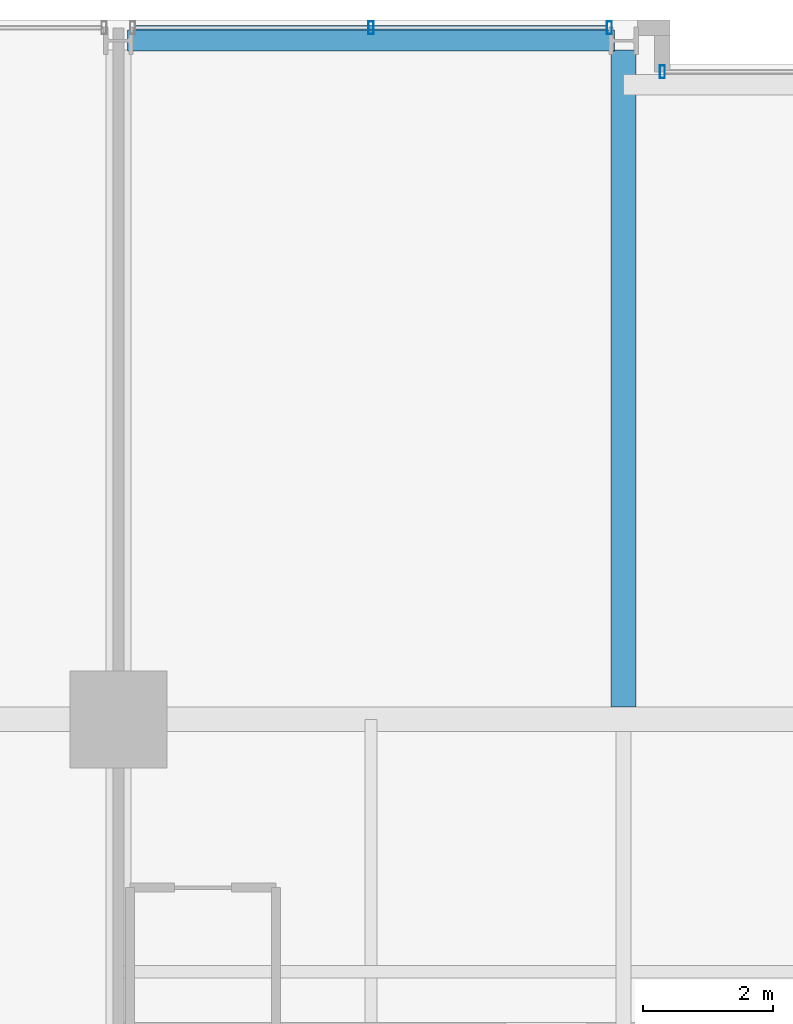
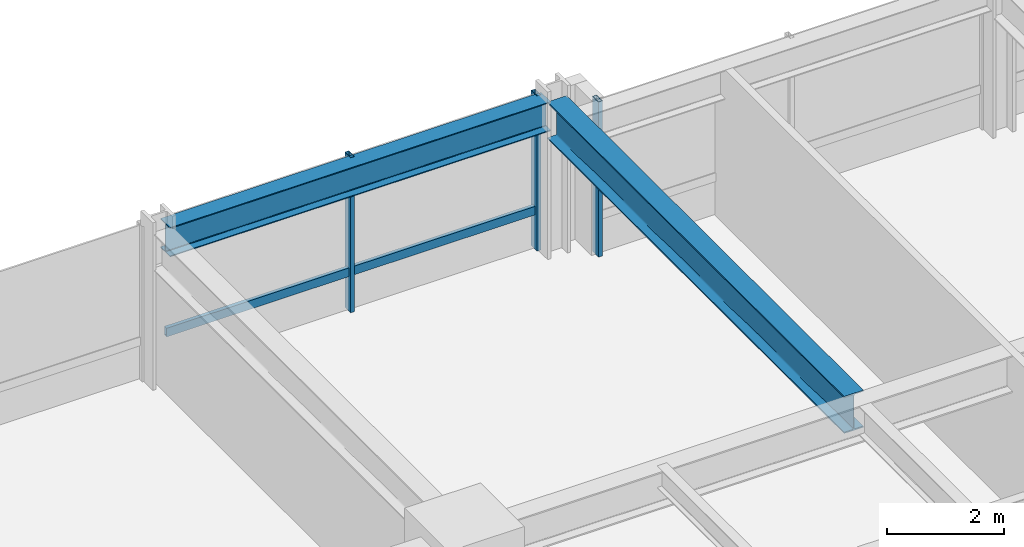
# One storey, part 21 of 34: 4 members, 2 beams, 2 elements without a shape of their own.
"""IFC4 building model written with IfcOpenShell, lengths in metres."""

from ifc_helpers import new_model, si_unit, direction, frame, origin, origin_2d, place, context, subcontext, project, spatial, hollow_rectangle, i_section, extrude, material, layer, layer_set, material_profile, profile_set, type_object, element, aggregate, save


model = new_model("IFC4")

# Units and contexts
model_context = context("Model", 3, precision=1e-05, world=origin(), true_north=direction((0.0, 1.0)))
body_context = subcontext(model_context, "Body", "Model", "MODEL_VIEW")
ifc_project = project(units=[si_unit("LENGTHUNIT", "METRE"), si_unit("AREAUNIT", "SQUARE_METRE"), si_unit("VOLUMEUNIT", "CUBIC_METRE"), si_unit("PLANEANGLEUNIT", "RADIAN"), si_unit("MASSUNIT", "GRAM", prefix="KILO")], contexts=[model_context])

# Site, building, storey
site_placement = place(None, origin())
site = spatial("IfcSite", under=ifc_project, at=site_placement, CompositionType="ELEMENT")
building_placement = place(site_placement, origin())
building = spatial("IfcBuilding", under=site, at=building_placement, Name="Drelvath Grand Hotel", CompositionType="ELEMENT")
storey_placement = place(building_placement, frame((0.0, 0.0, 112.800048828125)))
storey = spatial("IfcBuildingStorey", under=building, at=storey_placement, Name="L28", CompositionType="ELEMENT", Elevation=112.800048828125)

# Curtain wall, members
ifc_material_1 = material(Name="Champagne Bronze Anodised Aluminium Frame", Category="aluminium")
ifc_layer = layer(ifc_material_1, 0.199951171875)
ifc_layer_set = layer_set([ifc_layer], Name="Champagne Bronze Anodised Aluminium Frame")
curtain_wall_type = type_object("IfcCurtainWallType", Name="Stick Curtain Wall CW-03 Champagne Bronze Mid-Rise", PredefinedType="NOTDEFINED", material=ifc_layer_set)
curtain_wall_1_placement = place(storey_placement, origin())
curtain_wall_1 = element("IfcCurtainWall", 1, at=curtain_wall_1_placement, inside=storey, type_object=curtain_wall_type, Name="L28 CW-03 Curtain Wall CW03-L28-NW2", PredefinedType="NOTDEFINED")
ifc_material_profile_1 = material_profile(ifc_material_1, hollow_rectangle(XDim=0.074951171875, YDim=0.179931640625, WallThickness=0.0048828125, at=origin_2d()), Name="HSS180X75X5")
ifc_profile_set_1 = profile_set([ifc_material_profile_1], Name="Champagne Bronze Anodised Aluminium Frame")
member_type_1 = type_object("IfcMemberType", Name="Curtain Wall Horizontal Transom CW-03 HSS180X75X5", PredefinedType="USERDEFINED", material=ifc_profile_set_1)
member_1_placement = place(storey_placement, frame((-15.9404296875, 53.8798828125, 0.81005859375), z_axis=(1.0, 0.0, 0.0), x_axis=(0.0, 1.0, 0.0)))
member_1 = element("IfcMember", 2, at=member_1_placement, type_object=member_type_1, Name="CW03-L28-NW2 Sill Transom", ObjectType="TRANSOM", PredefinedType="USERDEFINED", context=body_context, shape_type="SweptSolid", body=[
    extrude(hollow_rectangle(XDim=0.074951171875, YDim=0.179931640625, WallThickness=0.0048828125, at=origin_2d()), origin(), (0.0, 0.0, 1.0), 7.28076171875),
])
ifc_material_profile_2 = material_profile(ifc_material_1, hollow_rectangle(XDim=0.080078125, YDim=0.199951171875, WallThickness=0.0048828125, at=origin_2d()), Name="HSS200X80X5")
ifc_profile_set_2 = profile_set([ifc_material_profile_2], Name="Champagne Bronze Anodised Aluminium Frame")
member_type_2 = type_object("IfcMemberType", Name="Curtain Wall Vertical Mullion CW-03 HSS200X80X5", PredefinedType="MULLION", material=ifc_profile_set_2)
member_2_placement = place(storey_placement, frame((-12.300048828125, 53.8798828125, 0.0), z_axis=(0.0, 0.0, 1.0), x_axis=(1.0, 0.0, 0.0)))
member_2 = element("IfcMember", 3, at=member_2_placement, type_object=member_type_2, Name="CW03-L28-NW2 Mullion 2", PredefinedType="MULLION", context=body_context, shape_type="SweptSolid", body=[
    extrude(hollow_rectangle(XDim=0.080078125, YDim=0.199951171875, WallThickness=0.0048828125, at=origin_2d()), origin(), (0.0, 0.0, 1.0), 3.239990234375),
])
member_3_placement = place(storey_placement, frame((-8.61962890625, 53.8798828125, 0.0), z_axis=(0.0, 0.0, 1.0), x_axis=(1.0, 0.0, 0.0)))
member_3 = element("IfcMember", 4, at=member_3_placement, type_object=member_type_2, Name="CW03-L28-NW2 Mullion 3", PredefinedType="MULLION", context=body_context, shape_type="SweptSolid", body=[
    extrude(hollow_rectangle(XDim=0.080078125, YDim=0.199951171875, WallThickness=0.0048828125, at=origin_2d()), origin(), (0.0, 0.0, 1.0), 3.239990234375),
])
aggregate(curtain_wall_1, [member_2, member_3, member_1])

# Curtain wall, member
curtain_wall_2_placement = place(storey_placement, origin())
curtain_wall_2 = element("IfcCurtainWall", 5, at=curtain_wall_2_placement, inside=storey, type_object=curtain_wall_type, Name="L28 CW-03 Curtain Wall CW03-L28-NM1", PredefinedType="NOTDEFINED")
member_4_placement = place(storey_placement, frame((-7.800048828125, 53.199951171875, 0.0), z_axis=(0.0, 0.0, 1.0), x_axis=(1.0, 0.0, 0.0)))
member_4 = element("IfcMember", 6, at=member_4_placement, type_object=member_type_2, Name="CW03-L28-NM1 Mullion 1", PredefinedType="MULLION", context=body_context, shape_type="SweptSolid", body=[
    extrude(hollow_rectangle(XDim=0.080078125, YDim=0.199951171875, WallThickness=0.0048828125, at=origin_2d()), origin(), (0.0, 0.0, 1.0), 3.239990234375),
])
aggregate(curtain_wall_2, [member_4])

# Beams
ifc_material_2 = material(Name="Steel ASTM A992 Gr 50", Category="steel")
ifc_material_profile_3 = material_profile(ifc_material_2, i_section(OverallWidth=0.323974609375, OverallDepth=0.611083984375, WebThickness=0.0126953125, FlangeThickness=0.01904296875, FilletRadius=0.02197265625, at=origin_2d()), Name="W24X104")
ifc_profile_set_3 = profile_set([ifc_material_profile_3], Name="Steel ASTM A992 Gr 50")
beam_type_1 = type_object("IfcBeamType", Name="Perimeter Spandrel Beam W24X104", PredefinedType="SPANDREL", material=ifc_profile_set_3)
beam_1_placement = place(storey_placement, frame((-16.06005859375, 53.679931640625, 2.9345703125), z_axis=(1.0, 0.0, 0.0), x_axis=(0.0, 1.0, 0.0)))
element("IfcBeam", 7, at=beam_1_placement, inside=storey, type_object=beam_type_1, Name="L28 Spandrel North W", PredefinedType="SPANDREL", context=body_context, shape_type="SweptSolid", body=[
    extrude(i_section(OverallWidth=0.323974609375, OverallDepth=0.611083984375, WebThickness=0.0126953125, FlangeThickness=0.01904296875, FilletRadius=0.02197265625, at=origin_2d()), origin(), (0.0, 0.0, 1.0), 7.52001953125),
])
ifc_material_profile_4 = material_profile(ifc_material_2, i_section(OverallWidth=0.380615234375, OverallDepth=0.773193359375, WebThickness=0.0166015625, FlangeThickness=0.027099609375, FilletRadius=0.02490234375, at=origin_2d()), Name="W30X173")
ifc_profile_set_4 = profile_set([ifc_material_profile_4], Name="Steel ASTM A992 Gr 50")
beam_type_2 = type_object("IfcBeamType", Name="Primary Floor Girder W30X173", PredefinedType="BEAM", material=ifc_profile_set_4)
beam_2_placement = place(storey_placement, frame((-8.39990234375, 43.390380859375, 2.853271484375), z_axis=(0.0, 1.0, 0.0), x_axis=(-1.0, 0.0, 0.0)))
element("IfcBeam", 8, at=beam_2_placement, inside=storey, type_object=beam_type_2, Name="L28 North Wing Girder 4", PredefinedType="BEAM", context=body_context, shape_type="SweptSolid", body=[
    extrude(i_section(OverallWidth=0.380615234375, OverallDepth=0.773193359375, WebThickness=0.0166015625, FlangeThickness=0.027099609375, FilletRadius=0.02490234375, at=origin_2d()), origin(), (0.0, 0.0, 1.0), 10.149658203125),
])

save(model, "model.ifc")
